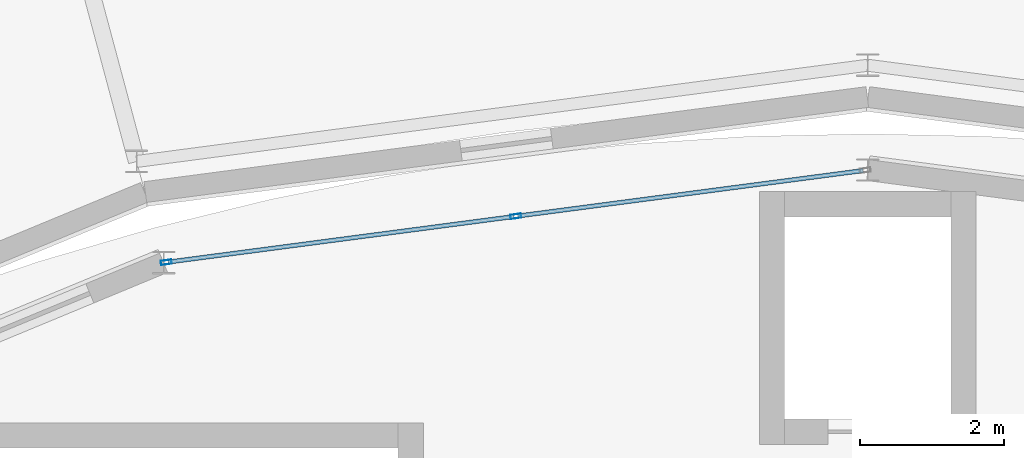
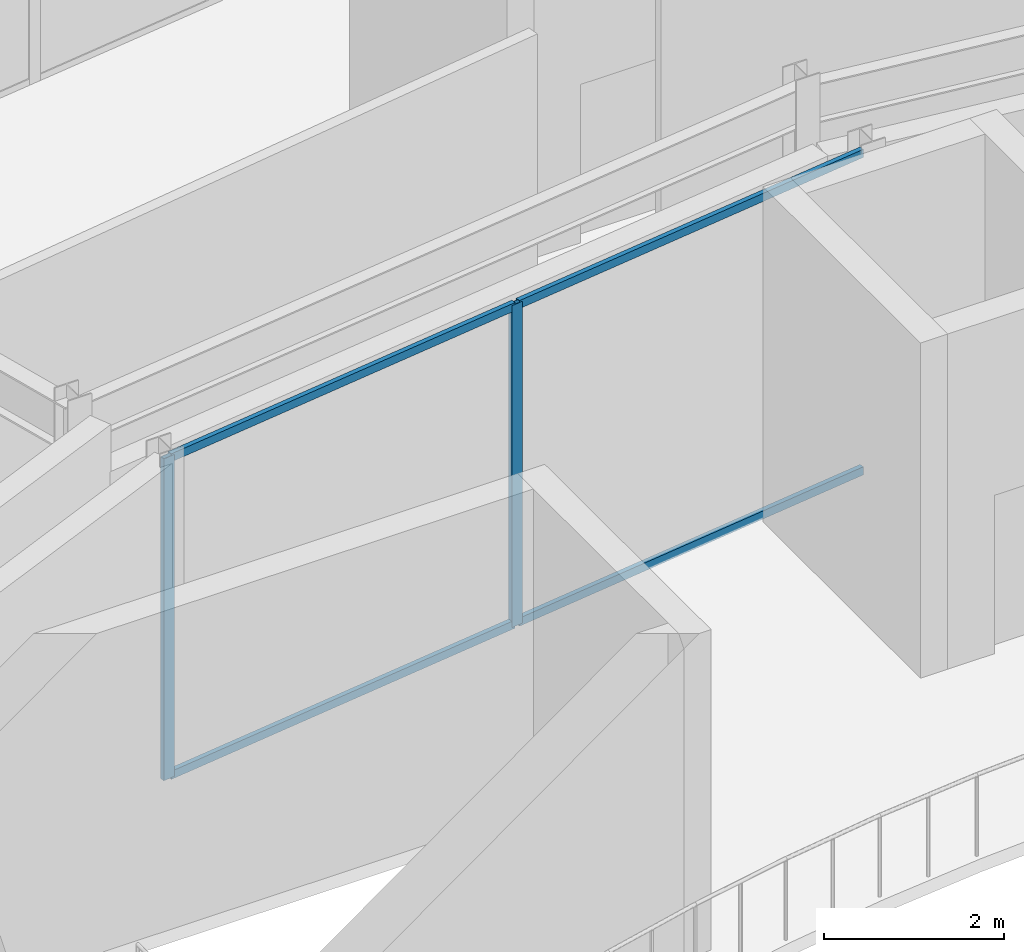
# One storey, part 48 of 116: 6 members, 1 element without a shape of its own.
"""IFC4 building model written with IfcOpenShell, lengths in metres."""

from ifc_helpers import new_model, si_unit, direction, frame, origin, origin_2d, place, context, subcontext, project, spatial, hollow_rectangle, extrude, material, material_profile, profile_set, type_object, element, aggregate, save


model = new_model("IFC4")

# Units and contexts
model_context = context("Model", 3, precision=1e-05, world=origin(), true_north=direction((0.0, 1.0)))
body_context = subcontext(model_context, "Body", "Model", "MODEL_VIEW")
ifc_project = project(units=[si_unit("LENGTHUNIT", "METRE"), si_unit("AREAUNIT", "SQUARE_METRE"), si_unit("VOLUMEUNIT", "CUBIC_METRE"), si_unit("PLANEANGLEUNIT", "RADIAN"), si_unit("MASSUNIT", "GRAM", prefix="KILO")], contexts=[model_context])

# Site, building, storey
site_placement = place(None, origin())
site = spatial("IfcSite", under=ifc_project, at=site_placement, CompositionType="ELEMENT")
building_placement = place(site_placement, origin())
building = spatial("IfcBuilding", under=site, at=building_placement, Name="Almandine Court Research Institute", CompositionType="ELEMENT")
storey_placement = place(building_placement, frame((0.0, 0.0, 14.35009765625)))
storey = spatial("IfcBuildingStorey", under=building, at=storey_placement, Name="L03", CompositionType="ELEMENT", Elevation=14.35009765625)

# Curtain wall, members
ifc_material_1 = material(Name="Unitised Curtain Wall Framing and Solar Glazing", Category="glass")
curtain_wall_type = type_object("IfcCurtainWallType", Name="CW-CWG-24", PredefinedType="USERDEFINED", material=ifc_material_1)
curtain_wall_placement = place(storey_placement, origin())
curtain_wall = element("IfcCurtainWall", 1, at=curtain_wall_placement, inside=storey, type_object=curtain_wall_type, Name="L03 Interaction Atrium Perimeter Curtain Wall 06", ObjectType="UNITISED GLAZING", PredefinedType="USERDEFINED")
ifc_material_2 = material(Name="Anodised Aluminium AW-6063-T6", Category="aluminium")
ifc_material_profile_1 = material_profile(ifc_material_2, hollow_rectangle(XDim=0.06005859375, YDim=0.14990234375, WallThickness=0.00390625, at=origin_2d()), Name="ALU RHS 60x150x4")
ifc_profile_set_1 = profile_set([ifc_material_profile_1], Name="Anodised Aluminium AW-6063-T6")
member_type_1 = type_object("IfcMemberType", Name="CWMul-60x150", PredefinedType="MULLION", material=ifc_profile_set_1)
member_1_placement = place(storey_placement, frame((77.288818359375, 92.371826171875, 0.0), z_axis=(0.0, 0.0, 1.0), x_axis=(-0.130536164028, 0.991443548509, 0.0)))
member_1 = element("IfcMember", 2, at=member_1_placement, type_object=member_type_1, Name="CWG-24 mullion 1", PredefinedType="MULLION", context=body_context, shape_type="SweptSolid", body=[
    extrude(hollow_rectangle(XDim=0.06005859375, YDim=0.14990234375, WallThickness=0.00390625, at=origin_2d()), origin(), (0.0, 0.0, 1.0), 4.369873046875),
])
member_2_placement = place(storey_placement, frame((82.12744140625, 93.009033203125, 0.0), z_axis=(0.0, 0.0, 1.0), x_axis=(-0.130536164028, 0.991443548509, 0.0)))
member_2 = element("IfcMember", 3, at=member_2_placement, type_object=member_type_1, Name="CWG-24 mullion 2", PredefinedType="MULLION", context=body_context, shape_type="SweptSolid", body=[
    extrude(hollow_rectangle(XDim=0.06005859375, YDim=0.14990234375, WallThickness=0.00390625, at=origin_2d()), origin(), (0.0, 0.0, 1.0), 4.369873046875),
])
ifc_material_profile_2 = material_profile(ifc_material_2, hollow_rectangle(XDim=0.06005859375, YDim=0.110107421875, WallThickness=0.00390625, at=origin_2d()), Name="ALU RHS 60x110x4")
ifc_profile_set_2 = profile_set([ifc_material_profile_2], Name="Anodised Aluminium AW-6063-T6")
member_type_2 = type_object("IfcMemberType", Name="CWTrn-60x110", PredefinedType="NOTDEFINED", material=ifc_profile_set_2)
member_3_placement = place(storey_placement, frame((77.318603515625, 92.375732421875, 0.02978515625), z_axis=(0.991438945963, 0.130571116357, 0.0), x_axis=(-0.130571116357, 0.991438945963, 0.0)))
member_3 = element("IfcMember", 4, at=member_3_placement, type_object=member_type_2, Name="CWG-24 transom 1.1", ObjectType="TRANSOM", PredefinedType="USERDEFINED", context=body_context, shape_type="SweptSolid", body=[
    extrude(hollow_rectangle(XDim=0.06005859375, YDim=0.110107421875, WallThickness=0.00390625, at=origin_2d()), origin(), (0.0, 0.0, 1.0), 4.8203125),
])
member_4_placement = place(storey_placement, frame((77.318603515625, 92.375732421875, 4.33984375), z_axis=(0.991438945963, 0.130571116357, 0.0), x_axis=(-0.130571116357, 0.991438945963, 0.0)))
member_4 = element("IfcMember", 5, at=member_4_placement, type_object=member_type_2, Name="CWG-24 transom 1.2", ObjectType="TRANSOM", PredefinedType="USERDEFINED", context=body_context, shape_type="SweptSolid", body=[
    extrude(hollow_rectangle(XDim=0.06005859375, YDim=0.110107421875, WallThickness=0.00390625, at=origin_2d()), origin(), (0.0, 0.0, 1.0), 4.8203125),
])
member_5_placement = place(storey_placement, frame((82.1572265625, 93.012939453125, 0.02978515625), z_axis=(0.99144636411, 0.130514777294, 0.0), x_axis=(-0.130514777294, 0.99144636411, 0.0)))
member_5 = element("IfcMember", 6, at=member_5_placement, type_object=member_type_2, Name="CWG-24 transom 2.1", ObjectType="TRANSOM", PredefinedType="USERDEFINED", context=body_context, shape_type="SweptSolid", body=[
    extrude(hollow_rectangle(XDim=0.06005859375, YDim=0.110107421875, WallThickness=0.00390625, at=origin_2d()), origin(), (0.0, 0.0, 1.0), 4.820556640625),
])
member_6_placement = place(storey_placement, frame((82.1572265625, 93.012939453125, 4.33984375), z_axis=(0.99144636411, 0.130514777294, 0.0), x_axis=(-0.130514777294, 0.99144636411, 0.0)))
member_6 = element("IfcMember", 7, at=member_6_placement, type_object=member_type_2, Name="CWG-24 transom 2.2", ObjectType="TRANSOM", PredefinedType="USERDEFINED", context=body_context, shape_type="SweptSolid", body=[
    extrude(hollow_rectangle(XDim=0.06005859375, YDim=0.110107421875, WallThickness=0.00390625, at=origin_2d()), origin(), (0.0, 0.0, 1.0), 4.820556640625),
])
aggregate(curtain_wall, [member_1, member_2, member_3, member_4, member_5, member_6])

save(model, "model.ifc")
